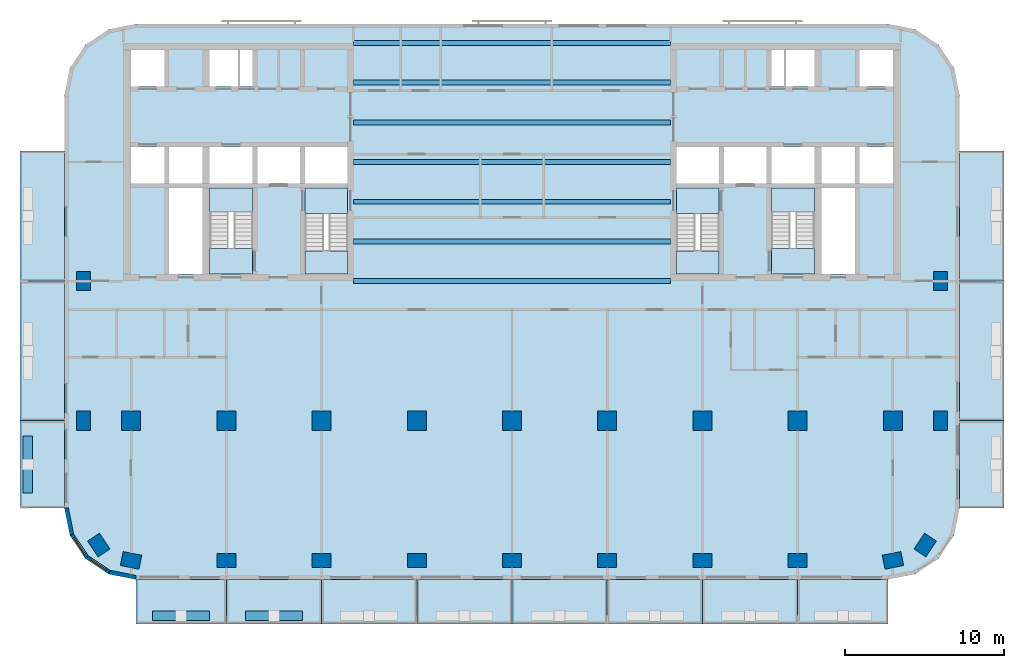
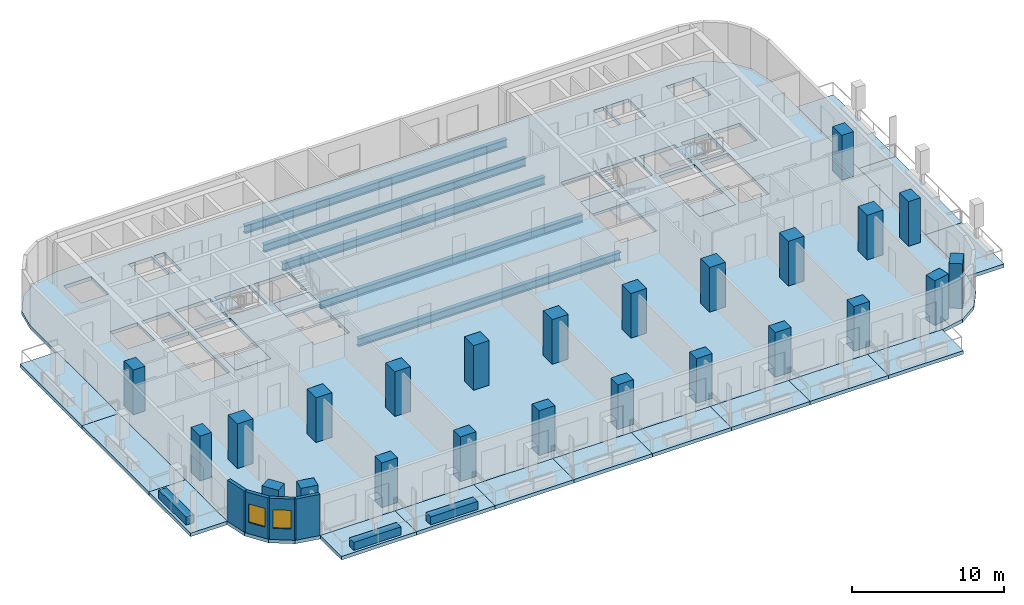
# One storey, part 1 of 11: 24 columns, 23 slabs, 7 beams, 7 walls, 2 windows, 2 openings, 4 elements without a shape of their own.
"""IFC4 building model written with IfcOpenShell, lengths in metres."""

from ifc_helpers import new_model, si_unit, direction, frame, frame_2d, origin, origin_2d, place, context, subcontext, project, spatial, polyline, rectangle, i_section, outline, extrude, material, layer, layer_set, material_profile, profile_set, type_object, element, fill, aggregate, save


model = new_model("IFC4")

# Units and contexts
model_context = context("Model", 3, precision=1e-05, world=origin(), true_north=direction((0.0, 1.0)))
body_context = subcontext(model_context, "Body", "Model", "MODEL_VIEW")
ifc_project = project(units=[si_unit("LENGTHUNIT", "METRE"), si_unit("AREAUNIT", "SQUARE_METRE"), si_unit("VOLUMEUNIT", "CUBIC_METRE"), si_unit("PLANEANGLEUNIT", "RADIAN"), si_unit("MASSUNIT", "GRAM", prefix="KILO")], contexts=[model_context])

# Site, building, storey
site_placement = place(None, origin())
site = spatial("IfcSite", under=ifc_project, at=site_placement, CompositionType="ELEMENT")
building_placement = place(site_placement, origin())
building = spatial("IfcBuilding", under=site, at=building_placement, Name="Torana Hotel and Residences", CompositionType="ELEMENT")
storey_placement = place(building_placement, frame((0.0, 0.0, 120.0)))
storey = spatial("IfcBuildingStorey", under=building, at=storey_placement, Name="L30", CompositionType="ELEMENT", Elevation=120.0)

# Columns
ifc_material_1 = material(Name="Concrete C70/85", Category="concrete")
ifc_material_profile_1 = material_profile(ifc_material_1, rectangle(XDim=1.199951171875, YDim=1.199951171875, at=origin_2d()), Name="RC 1200x1200")
ifc_profile_set_1 = profile_set([ifc_material_profile_1], Name="Concrete C70/85")
column_type_1 = type_object("IfcColumnType", Name="COLUMN RC 1200x1200 C70/85", PredefinedType="COLUMN", material=ifc_profile_set_1)
for number, where, z_axis, x_axis, name in (
    (1, (-24.0, -23.800048828125, 0.0), (0.0, 0.0, 1.0), (1.0, 0.0, 0.0), "Column L30"),
    (2, (-18.0, -23.800048828125, 0.0), (0.0, 0.0, 1.0), (1.0, 0.0, 0.0), "Column L30"),
    (3, (-12.0, -23.800048828125, 0.0), (0.0, 0.0, 1.0), (1.0, 0.0, 0.0), "Column L30"),
    (4, (-6.0, -23.800048828125, 0.0), (0.0, 0.0, 1.0), (1.0, 0.0, 0.0), "Column L30"),
    (5, (0.0, -23.800048828125, 0.0), (0.0, 0.0, 1.0), (1.0, 0.0, 0.0), "Column L30"),
    (6, (6.0, -23.800048828125, 0.0), (0.0, 0.0, 1.0), (1.0, 0.0, 0.0), "Column L30"),
    (7, (12.0, -23.800048828125, 0.0), (0.0, 0.0, 1.0), (1.0, 0.0, 0.0), "Column L30"),
    (8, (18.0, -23.800048828125, 0.0), (0.0, 0.0, 1.0), (1.0, 0.0, 0.0), "Column L30"),
    (9, (24.0, -23.800048828125, 0.0), (0.0, 0.0, 1.0), (1.0, 0.0, 0.0), "Column L30"),
):
    element("IfcColumn", number, at=place(storey_placement, frame(where, z_axis=z_axis, x_axis=x_axis)), inside=storey, type_object=column_type_1, Name=name, PredefinedType="COLUMN", context=body_context, shape_type="SweptSolid", body=[
        extrude(rectangle(XDim=1.199951171875, YDim=1.199951171875, at=origin_2d()), origin(), (0.0, 0.0, 1.0), 3.60009765625),
    ])
ifc_material_2 = material(Name="Concrete C70/85", Category="concrete")
ifc_material_profile_2 = material_profile(ifc_material_2, rectangle(XDim=1.199951171875, YDim=0.89990234375, at=origin_2d()), Name="RC 1200x900")
ifc_profile_set_2 = profile_set([ifc_material_profile_2], Name="Concrete C70/85")
column_type_2 = type_object("IfcColumnType", Name="COLUMN RC 1200x900 C70/85", PredefinedType="COLUMN", material=ifc_profile_set_2)
for number, where, z_axis, x_axis, name in (
    (10, (-27.0, -23.800048828125, 0.0), (0.0, 0.0, 1.0), (0.0, 1.0, 0.0), "Column L30"),
    (11, (-27.0, -15.0, 0.0), (0.0, 0.0, 1.0), (0.0, 1.0, 0.0), "Column L30"),
    (12, (-26.032958984375, -31.633056640625, 0.0), (0.0, 0.0, 1.0), (-0.555584744817, 0.831459915646, 0.0), "Column L30"),
    (13, (-24.0, -32.60009765625, 0.0), (0.0, 0.0, 1.0), (-0.980792089743, 0.195056086032, 0.0), "Column L30"),
    (14, (-18.0, -32.60009765625, 0.0), (0.0, 0.0, 1.0), (1.0, 0.0, 0.0), "Column L30"),
    (15, (-12.0, -32.60009765625, 0.0), (0.0, 0.0, 1.0), (1.0, 0.0, 0.0), "Column L30"),
    (16, (-6.0, -32.60009765625, 0.0), (0.0, 0.0, 1.0), (1.0, 0.0, 0.0), "Column L30"),
    (17, (0.0, -32.60009765625, 0.0), (0.0, 0.0, 1.0), (1.0, 0.0, 0.0), "Column L30"),
    (18, (6.0, -32.60009765625, 0.0), (0.0, 0.0, 1.0), (1.0, 0.0, 0.0), "Column L30"),
    (19, (12.0, -32.60009765625, 0.0), (0.0, 0.0, 1.0), (1.0, 0.0, 0.0), "Column L30"),
    (20, (18.0, -32.60009765625, 0.0), (0.0, 0.0, 1.0), (1.0, 0.0, 0.0), "Column L30"),
    (21, (24.0, -32.60009765625, 0.0), (0.0, 0.0, 1.0), (0.980792089743, 0.195056086032, 0.0), "Column L30"),
    (22, (26.032958984375, -31.633056640625, 0.0), (0.0, 0.0, 1.0), (0.555584744817, 0.831459915646, 0.0), "Column L30"),
    (23, (27.0, -23.800048828125, 0.0), (0.0, 0.0, 1.0), (0.0, 1.0, 0.0), "Column L30"),
    (24, (27.0, -15.0, 0.0), (0.0, 0.0, 1.0), (0.0, 1.0, 0.0), "Column L30"),
):
    element("IfcColumn", number, at=place(storey_placement, frame(where, z_axis=z_axis, x_axis=x_axis)), inside=storey, type_object=column_type_2, Name=name, PredefinedType="COLUMN", context=body_context, shape_type="SweptSolid", body=[
        extrude(rectangle(XDim=1.199951171875, YDim=0.89990234375, at=origin_2d()), origin(), (0.0, 0.0, 1.0), 3.60009765625),
    ])

# Beams
ifc_material_3 = material(Name="Steel S355", Category="steel")
ifc_material_profile_3 = material_profile(ifc_material_3, i_section(OverallWidth=0.311279296875, OverallDepth=0.6357421875, WebThickness=0.018310546875, FlangeThickness=0.031494140625, FilletRadius=0.0166015625, at=origin_2d()), Name="610x305x238 UB")
ifc_profile_set_3 = profile_set([ifc_material_profile_3], Name="Steel S355")
beam_type = type_object("IfcBeamType", Name="STEEL GIRDER 610x305x238 UB", PredefinedType="BEAM", material=ifc_profile_set_3)
for number, where, z_axis, x_axis, name in (
    (25, (-10.0, -15.0, -0.597900390625), (1.0, 0.0, 0.0), (0.0, 1.0, 0.0), "Floor girder"),
    (26, (-10.0, -12.5, -0.597900390625), (1.0, 0.0, 0.0), (0.0, 1.0, 0.0), "Floor girder"),
    (27, (-10.0, -10.0, -0.597900390625), (1.0, 0.0, 0.0), (0.0, 1.0, 0.0), "Floor girder"),
    (28, (-10.0, -7.5, -0.597900390625), (1.0, 0.0, 0.0), (0.0, 1.0, 0.0), "Floor girder"),
    (29, (-10.0, -5.0, -0.597900390625), (1.0, 0.0, 0.0), (0.0, 1.0, 0.0), "Floor girder"),
    (30, (-10.0, -2.5, -0.597900390625), (1.0, 0.0, 0.0), (0.0, 1.0, 0.0), "Floor girder"),
    (31, (-10.0, 0.0, -0.597900390625), (1.0, 0.0, 0.0), (0.0, 1.0, 0.0), "Floor girder"),
):
    element("IfcBeam", number, at=place(storey_placement, frame(where, z_axis=z_axis, x_axis=x_axis)), inside=storey, type_object=beam_type, Name=name, PredefinedType="BEAM", context=body_context, shape_type="SweptSolid", body=[
        extrude(i_section(OverallWidth=0.311279296875, OverallDepth=0.6357421875, WebThickness=0.018310546875, FlangeThickness=0.031494140625, FilletRadius=0.0166015625, at=origin_2d()), origin(), (0.0, 0.0, 1.0), 20.0),
    ])

# Slabs
ifc_material_4 = material(Name="Concrete C40/50", Category="concrete")
ifc_layer_1 = layer(ifc_material_4, 0.280029296875)
ifc_layer_set_1 = layer_set([ifc_layer_1], Name="BAL1 BALCONY SLAB 280")
slab_type_1 = type_object("IfcSlabType", Name="BAL1 BALCONY SLAB 280", PredefinedType="USERDEFINED", material=ifc_layer_set_1)
slab_1_placement = place(storey_placement, frame((0.0, 0.0, -0.280029296875)))
element("IfcSlab", 32, at=slab_1_placement, inside=storey, type_object=slab_type_1, Name="Balcony 01", ObjectType="BALCONY", PredefinedType="USERDEFINED", context=body_context, shape_type="SweptSolid", body=[
    extrude(outline(polyline([(-23.699951171875, -36.60009765625), (-18.0, -36.60009765625), (-18.0, -33.800048828125), (-23.699951171875, -33.800048828125), (-23.699951171875, -36.60009765625)])), origin(), (0.0, 0.0, 1.0), 0.280029296875),
])
slab_2_placement = place(storey_placement, frame((0.0, 0.0, -0.280029296875)))
element("IfcSlab", 33, at=slab_2_placement, inside=storey, type_object=slab_type_1, Name="Balcony 02", ObjectType="BALCONY", PredefinedType="USERDEFINED", context=body_context, shape_type="SweptSolid", body=[
    extrude(outline(polyline([(-18.0, -36.60009765625), (-12.0, -36.60009765625), (-12.0, -33.800048828125), (-18.0, -33.800048828125), (-18.0, -36.60009765625)])), origin(), (0.0, 0.0, 1.0), 0.280029296875),
])
slab_3_placement = place(storey_placement, frame((0.0, 0.0, -0.280029296875)))
element("IfcSlab", 34, at=slab_3_placement, inside=storey, type_object=slab_type_1, Name="Balcony 03", ObjectType="BALCONY", PredefinedType="USERDEFINED", context=body_context, shape_type="SweptSolid", body=[
    extrude(outline(polyline([(-12.0, -36.60009765625), (-6.0, -36.60009765625), (-6.0, -33.800048828125), (-12.0, -33.800048828125), (-12.0, -36.60009765625)])), origin(), (0.0, 0.0, 1.0), 0.280029296875),
])
slab_4_placement = place(storey_placement, frame((0.0, 0.0, -0.280029296875)))
element("IfcSlab", 35, at=slab_4_placement, inside=storey, type_object=slab_type_1, Name="Balcony 04", ObjectType="BALCONY", PredefinedType="USERDEFINED", context=body_context, shape_type="SweptSolid", body=[
    extrude(outline(polyline([(-6.0, -36.60009765625), (0.0, -36.60009765625), (0.0, -33.800048828125), (-6.0, -33.800048828125), (-6.0, -36.60009765625)])), origin(), (0.0, 0.0, 1.0), 0.280029296875),
])
slab_5_placement = place(storey_placement, frame((0.0, 0.0, -0.280029296875)))
element("IfcSlab", 36, at=slab_5_placement, inside=storey, type_object=slab_type_1, Name="Balcony 05", ObjectType="BALCONY", PredefinedType="USERDEFINED", context=body_context, shape_type="SweptSolid", body=[
    extrude(outline(polyline([(0.0, -36.60009765625), (6.0, -36.60009765625), (6.0, -33.800048828125), (0.0, -33.800048828125), (0.0, -36.60009765625)])), origin(), (0.0, 0.0, 1.0), 0.280029296875),
])
slab_6_placement = place(storey_placement, frame((0.0, 0.0, -0.280029296875)))
element("IfcSlab", 37, at=slab_6_placement, inside=storey, type_object=slab_type_1, Name="Balcony 06", ObjectType="BALCONY", PredefinedType="USERDEFINED", context=body_context, shape_type="SweptSolid", body=[
    extrude(outline(polyline([(6.0, -36.60009765625), (12.0, -36.60009765625), (12.0, -33.800048828125), (6.0, -33.800048828125), (6.0, -36.60009765625)])), origin(), (0.0, 0.0, 1.0), 0.280029296875),
])
slab_7_placement = place(storey_placement, frame((0.0, 0.0, -0.280029296875)))
element("IfcSlab", 38, at=slab_7_placement, inside=storey, type_object=slab_type_1, Name="Balcony 07", ObjectType="BALCONY", PredefinedType="USERDEFINED", context=body_context, shape_type="SweptSolid", body=[
    extrude(outline(polyline([(12.0, -36.60009765625), (18.0, -36.60009765625), (18.0, -33.800048828125), (12.0, -33.800048828125), (12.0, -36.60009765625)])), origin(), (0.0, 0.0, 1.0), 0.280029296875),
])
slab_8_placement = place(storey_placement, frame((0.0, 0.0, -0.280029296875)))
element("IfcSlab", 39, at=slab_8_placement, inside=storey, type_object=slab_type_1, Name="Balcony 08", ObjectType="BALCONY", PredefinedType="USERDEFINED", context=body_context, shape_type="SweptSolid", body=[
    extrude(outline(polyline([(18.0, -36.60009765625), (23.699951171875, -36.60009765625), (23.699951171875, -33.800048828125), (18.0, -33.800048828125), (18.0, -36.60009765625)])), origin(), (0.0, 0.0, 1.0), 0.280029296875),
])
slab_9_placement = place(storey_placement, frame((0.0, 0.0, -0.280029296875)))
element("IfcSlab", 40, at=slab_9_placement, inside=storey, type_object=slab_type_1, Name="Balcony 09", ObjectType="BALCONY", PredefinedType="USERDEFINED", context=body_context, shape_type="SweptSolid", body=[
    extrude(outline(polyline([(-31.0, -29.300048828125), (-28.199951171875, -29.300048828125), (-28.199951171875, -23.800048828125), (-31.0, -23.800048828125), (-31.0, -29.300048828125)])), origin(), (0.0, 0.0, 1.0), 0.280029296875),
])
slab_10_placement = place(storey_placement, frame((0.0, 0.0, -0.280029296875)))
element("IfcSlab", 41, at=slab_10_placement, inside=storey, type_object=slab_type_1, Name="Balcony 10", ObjectType="BALCONY", PredefinedType="USERDEFINED", context=body_context, shape_type="SweptSolid", body=[
    extrude(outline(polyline([(-31.0, -23.800048828125), (-28.199951171875, -23.800048828125), (-28.199951171875, -15.0), (-31.0, -15.0), (-31.0, -23.800048828125)])), origin(), (0.0, 0.0, 1.0), 0.280029296875),
])
slab_11_placement = place(storey_placement, frame((0.0, 0.0, -0.280029296875)))
element("IfcSlab", 42, at=slab_11_placement, inside=storey, type_object=slab_type_1, Name="Balcony 11", ObjectType="BALCONY", PredefinedType="USERDEFINED", context=body_context, shape_type="SweptSolid", body=[
    extrude(outline(polyline([(-31.0, -15.0), (-28.199951171875, -15.0), (-28.199951171875, -6.800048828125), (-31.0, -6.800048828125), (-31.0, -15.0)])), origin(), (0.0, 0.0, 1.0), 0.280029296875),
])
slab_12_placement = place(storey_placement, frame((0.0, 0.0, -0.280029296875)))
element("IfcSlab", 43, at=slab_12_placement, inside=storey, type_object=slab_type_1, Name="Balcony 12", ObjectType="BALCONY", PredefinedType="USERDEFINED", context=body_context, shape_type="SweptSolid", body=[
    extrude(outline(polyline([(28.199951171875, -29.300048828125), (31.0, -29.300048828125), (31.0, -23.800048828125), (28.199951171875, -23.800048828125), (28.199951171875, -29.300048828125)])), origin(), (0.0, 0.0, 1.0), 0.280029296875),
])
slab_13_placement = place(storey_placement, frame((0.0, 0.0, -0.280029296875)))
element("IfcSlab", 44, at=slab_13_placement, inside=storey, type_object=slab_type_1, Name="Balcony 13", ObjectType="BALCONY", PredefinedType="USERDEFINED", context=body_context, shape_type="SweptSolid", body=[
    extrude(outline(polyline([(28.199951171875, -23.800048828125), (31.0, -23.800048828125), (31.0, -15.0), (28.199951171875, -15.0), (28.199951171875, -23.800048828125)])), origin(), (0.0, 0.0, 1.0), 0.280029296875),
])
slab_14_placement = place(storey_placement, frame((0.0, 0.0, -0.280029296875)))
element("IfcSlab", 45, at=slab_14_placement, inside=storey, type_object=slab_type_1, Name="Balcony 14", ObjectType="BALCONY", PredefinedType="USERDEFINED", context=body_context, shape_type="SweptSolid", body=[
    extrude(outline(polyline([(28.199951171875, -15.0), (31.0, -15.0), (31.0, -6.800048828125), (28.199951171875, -6.800048828125), (28.199951171875, -15.0)])), origin(), (0.0, 0.0, 1.0), 0.280029296875),
])
ifc_material_5 = material(Name="Concrete C40/50", Category="concrete")
ifc_layer_2 = layer(ifc_material_5, 0.280029296875)
ifc_layer_set_2 = layer_set([ifc_layer_2], Name="FLOOR SLAB PT 280")
slab_type_2 = type_object("IfcSlabType", Name="FLOOR SLAB PT 280", PredefinedType="FLOOR", material=ifc_layer_set_2)
slab_15_placement = place(storey_placement, frame((0.0, 0.0, -0.280029296875)))
element("IfcSlab", 46, at=slab_15_placement, inside=storey, type_object=slab_type_2, Name="Floor slab", PredefinedType="FLOOR", context=body_context, shape_type="SweptSolid", body=[
    extrude(outline(polyline([(28.199951171875, -3.300048828125), (27.857421875, -1.577880859375), (26.882080078125, -0.117919921875), (25.422119140625, 0.857421875), (23.699951171875, 1.199951171875), (-23.699951171875, 1.199951171875), (-25.422119140625, 0.857421875), (-26.882080078125, -0.117919921875), (-27.857421875, -1.577880859375), (-28.199951171875, -3.300048828125), (-28.199951171875, -29.300048828125), (-27.857421875, -31.022216796875), (-26.882080078125, -32.48193359375), (-25.422119140625, -33.45751953125), (-23.699951171875, -33.800048828125), (23.699951171875, -33.800048828125), (25.422119140625, -33.45751953125), (26.882080078125, -32.48193359375), (27.857421875, -31.022216796875), (28.199951171875, -29.300048828125), (28.199951171875, -3.300048828125)]), holes=[polyline([(-13.050048828125, -14.550048828125), (-10.35009765625, -14.550048828125), (-10.35009765625, -9.14990234375), (-13.050048828125, -9.14990234375), (-13.050048828125, -14.550048828125)]), polyline([(-19.050048828125, -14.550048828125), (-16.35009765625, -14.550048828125), (-16.35009765625, -9.14990234375), (-19.050048828125, -9.14990234375), (-19.050048828125, -14.550048828125)]), polyline([(-17.125, -2.75), (-16.35009765625, -2.75), (-16.35009765625, -0.449951171875), (-17.125, -0.449951171875), (-17.125, -2.75)]), polyline([(-19.050048828125, -2.75), (-17.27490234375, -2.75), (-17.27490234375, -0.449951171875), (-19.050048828125, -0.449951171875), (-19.050048828125, -2.75)]), polyline([(-21.60009765625, -8.85009765625), (-19.5, -8.85009765625), (-19.5, -6.550048828125), (-21.60009765625, -6.550048828125), (-21.60009765625, -8.85009765625)]), polyline([(-24.0, -2.75), (-21.89990234375, -2.75), (-21.89990234375, -0.449951171875), (-24.0, -0.449951171875), (-24.0, -2.75)]), polyline([(-24.0, -8.85009765625), (-21.89990234375, -8.85009765625), (-21.89990234375, -6.550048828125), (-24.0, -6.550048828125), (-24.0, -8.85009765625)]), polyline([(-13.050048828125, -8.85009765625), (-10.35009765625, -8.85009765625), (-10.35009765625, -6.550048828125), (-13.050048828125, -6.550048828125), (-13.050048828125, -8.85009765625)]), polyline([(-16.050048828125, -8.85009765625), (-13.35009765625, -8.85009765625), (-13.35009765625, -6.550048828125), (-16.050048828125, -6.550048828125), (-16.050048828125, -8.85009765625)]), polyline([(-19.050048828125, -8.85009765625), (-16.35009765625, -8.85009765625), (-16.35009765625, -6.550048828125), (-19.050048828125, -6.550048828125), (-19.050048828125, -8.85009765625)]), polyline([(-21.60009765625, -14.550048828125), (-19.5, -14.550048828125), (-19.5, -9.14990234375), (-21.60009765625, -9.14990234375), (-21.60009765625, -14.550048828125)]), polyline([(10.35009765625, -14.550048828125), (13.050048828125, -14.550048828125), (13.050048828125, -9.14990234375), (10.35009765625, -9.14990234375), (10.35009765625, -14.550048828125)]), polyline([(16.35009765625, -14.550048828125), (19.050048828125, -14.550048828125), (19.050048828125, -9.14990234375), (16.35009765625, -9.14990234375), (16.35009765625, -14.550048828125)]), polyline([(16.35009765625, -2.75), (17.125, -2.75), (17.125, -0.449951171875), (16.35009765625, -0.449951171875), (16.35009765625, -2.75)]), polyline([(17.27490234375, -2.75), (19.050048828125, -2.75), (19.050048828125, -0.449951171875), (17.27490234375, -0.449951171875), (17.27490234375, -2.75)]), polyline([(19.5, -8.85009765625), (21.60009765625, -8.85009765625), (21.60009765625, -6.550048828125), (19.5, -6.550048828125), (19.5, -8.85009765625)]), polyline([(21.89990234375, -2.75), (24.0, -2.75), (24.0, -0.449951171875), (21.89990234375, -0.449951171875), (21.89990234375, -2.75)]), polyline([(21.89990234375, -8.85009765625), (24.0, -8.85009765625), (24.0, -6.550048828125), (21.89990234375, -6.550048828125), (21.89990234375, -8.85009765625)]), polyline([(10.35009765625, -8.85009765625), (13.050048828125, -8.85009765625), (13.050048828125, -6.550048828125), (10.35009765625, -6.550048828125), (10.35009765625, -8.85009765625)]), polyline([(13.35009765625, -8.85009765625), (16.050048828125, -8.85009765625), (16.050048828125, -6.550048828125), (13.35009765625, -6.550048828125), (13.35009765625, -8.85009765625)]), polyline([(16.35009765625, -8.85009765625), (19.050048828125, -8.85009765625), (19.050048828125, -6.550048828125), (16.35009765625, -6.550048828125), (16.35009765625, -8.85009765625)]), polyline([(19.5, -14.550048828125), (21.60009765625, -14.550048828125), (21.60009765625, -9.14990234375), (19.5, -9.14990234375), (19.5, -14.550048828125)])]), origin(), (0.0, 0.0, 1.0), 0.280029296875),
])

# Stair, slabs
ifc_material_6 = material(Name="Concrete C40/50 precast", Category="concrete")
stair_type_1 = type_object("IfcStairType", Name="STAIR ST1 HALF TURN 1200", PredefinedType="HALF_TURN_STAIR", material=ifc_material_6)
stair_1_placement = place(storey_placement, origin())
stair_1 = element("IfcStair", 47, at=stair_1_placement, inside=storey, type_object=stair_type_1, Name="Stair ST1 L30", PredefinedType="HALF_TURN_STAIR")
ifc_material_7 = material(Name="Concrete C40/50 precast", Category="concrete")
ifc_layer_3 = layer(ifc_material_7, 0.199951171875)
ifc_layer_set_3 = layer_set([ifc_layer_3], Name="STAIR LANDING 200")
slab_type_3 = type_object("IfcSlabType", Name="STAIR LANDING 200", PredefinedType="LANDING", material=ifc_layer_set_3)
slab_16_placement = place(storey_placement, frame((0.0, 0.0, 1.60009765625)))
slab_16 = element("IfcSlab", 48, at=slab_16_placement, type_object=slab_type_3, Name="ST1 landing 1", PredefinedType="LANDING", context=body_context, shape_type="SweptSolid", body=[
    extrude(outline(polyline([(-13.050048828125, -14.550048828125), (-10.35009765625, -14.550048828125), (-10.35009765625, -13.090087890625), (-13.050048828125, -13.090087890625), (-13.050048828125, -14.550048828125)])), origin(), (0.0, 0.0, 1.0), 0.199951171875),
])
slab_17_placement = place(storey_placement, frame((0.0, 0.0, -0.199951171875)))
slab_17 = element("IfcSlab", 49, at=slab_17_placement, type_object=slab_type_3, Name="ST1 landing 2", PredefinedType="LANDING", context=body_context, shape_type="SweptSolid", body=[
    extrude(outline(polyline([(-13.050048828125, -10.75), (-10.35009765625, -10.75), (-10.35009765625, -9.14990234375), (-13.050048828125, -9.14990234375), (-13.050048828125, -10.75)])), origin(), (0.0, 0.0, 1.0), 0.199951171875),
])
aggregate(stair_1, [slab_16, slab_17])

ifc_material_8 = material(Name="Concrete C40/50 precast", Category="concrete")
stair_type_2 = type_object("IfcStairType", Name="STAIR ST2 HALF TURN 1200", PredefinedType="HALF_TURN_STAIR", material=ifc_material_8)
stair_2_placement = place(storey_placement, origin())
stair_2 = element("IfcStair", 50, at=stair_2_placement, inside=storey, type_object=stair_type_2, Name="Stair ST2 L30", PredefinedType="HALF_TURN_STAIR")
slab_18_placement = place(storey_placement, frame((0.0, 0.0, 1.60009765625)))
slab_18 = element("IfcSlab", 51, at=slab_18_placement, type_object=slab_type_3, Name="ST2 landing 1", PredefinedType="LANDING", context=body_context, shape_type="SweptSolid", body=[
    extrude(outline(polyline([(-19.050048828125, -10.610107421875), (-16.35009765625, -10.610107421875), (-16.35009765625, -9.14990234375), (-19.050048828125, -9.14990234375), (-19.050048828125, -10.610107421875)])), origin(), (0.0, 0.0, 1.0), 0.199951171875),
])
slab_19_placement = place(storey_placement, frame((0.0, 0.0, -0.199951171875)))
slab_19 = element("IfcSlab", 52, at=slab_19_placement, type_object=slab_type_3, Name="ST2 landing 2", PredefinedType="LANDING", context=body_context, shape_type="SweptSolid", body=[
    extrude(outline(polyline([(-19.050048828125, -14.550048828125), (-16.35009765625, -14.550048828125), (-16.35009765625, -12.949951171875), (-19.050048828125, -12.949951171875), (-19.050048828125, -14.550048828125)])), origin(), (0.0, 0.0, 1.0), 0.199951171875),
])
aggregate(stair_2, [slab_18, slab_19])

ifc_material_9 = material(Name="Concrete C40/50 precast", Category="concrete")
stair_type_3 = type_object("IfcStairType", Name="STAIR ST3 HALF TURN 1200", PredefinedType="HALF_TURN_STAIR", material=ifc_material_9)
stair_3_placement = place(storey_placement, origin())
stair_3 = element("IfcStair", 53, at=stair_3_placement, inside=storey, type_object=stair_type_3, Name="Stair ST3 L30", PredefinedType="HALF_TURN_STAIR")
slab_20_placement = place(storey_placement, frame((0.0, 0.0, 1.60009765625)))
slab_20 = element("IfcSlab", 54, at=slab_20_placement, type_object=slab_type_3, Name="ST3 landing 1", PredefinedType="LANDING", context=body_context, shape_type="SweptSolid", body=[
    extrude(outline(polyline([(10.35009765625, -14.550048828125), (13.050048828125, -14.550048828125), (13.050048828125, -13.090087890625), (10.35009765625, -13.090087890625), (10.35009765625, -14.550048828125)])), origin(), (0.0, 0.0, 1.0), 0.199951171875),
])
slab_21_placement = place(storey_placement, frame((0.0, 0.0, -0.199951171875)))
slab_21 = element("IfcSlab", 55, at=slab_21_placement, type_object=slab_type_3, Name="ST3 landing 2", PredefinedType="LANDING", context=body_context, shape_type="SweptSolid", body=[
    extrude(outline(polyline([(10.35009765625, -10.75), (13.050048828125, -10.75), (13.050048828125, -9.14990234375), (10.35009765625, -9.14990234375), (10.35009765625, -10.75)])), origin(), (0.0, 0.0, 1.0), 0.199951171875),
])
aggregate(stair_3, [slab_20, slab_21])

ifc_material_10 = material(Name="Concrete C40/50 precast", Category="concrete")
stair_type_4 = type_object("IfcStairType", Name="STAIR ST4 HALF TURN 1200", PredefinedType="HALF_TURN_STAIR", material=ifc_material_10)
stair_4_placement = place(storey_placement, origin())
stair_4 = element("IfcStair", 56, at=stair_4_placement, inside=storey, type_object=stair_type_4, Name="Stair ST4 L30", PredefinedType="HALF_TURN_STAIR")
slab_22_placement = place(storey_placement, frame((0.0, 0.0, 1.60009765625)))
slab_22 = element("IfcSlab", 57, at=slab_22_placement, type_object=slab_type_3, Name="ST4 landing 1", PredefinedType="LANDING", context=body_context, shape_type="SweptSolid", body=[
    extrude(outline(polyline([(16.35009765625, -10.610107421875), (19.050048828125, -10.610107421875), (19.050048828125, -9.14990234375), (16.35009765625, -9.14990234375), (16.35009765625, -10.610107421875)])), origin(), (0.0, 0.0, 1.0), 0.199951171875),
])
slab_23_placement = place(storey_placement, frame((0.0, 0.0, -0.199951171875)))
slab_23 = element("IfcSlab", 58, at=slab_23_placement, type_object=slab_type_3, Name="ST4 landing 2", PredefinedType="LANDING", context=body_context, shape_type="SweptSolid", body=[
    extrude(outline(polyline([(16.35009765625, -14.550048828125), (19.050048828125, -14.550048828125), (19.050048828125, -12.949951171875), (16.35009765625, -12.949951171875), (16.35009765625, -14.550048828125)])), origin(), (0.0, 0.0, 1.0), 0.199951171875),
])
aggregate(stair_4, [slab_22, slab_23])

# Wall
ifc_material_11 = material(Name="Black aluminium composite panel", Category="aluminium")
ifc_layer_4 = layer(ifc_material_11, 0.00390625, Name="Cladding", Category="cladding")
ifc_material_12 = material(Name="Ventilated air cavity")
ifc_layer_5 = layer(ifc_material_12, 0.0400390625, Name="Ventilated cavity", Category="cavity")
ifc_material_13 = material(Name="Mineral wool insulation")
ifc_layer_6 = layer(ifc_material_13, 0.090087890625, Name="Insulation", Category="insulation")
ifc_material_14 = material(Name="Steel S280GD", Category="steel")
ifc_layer_7 = layer(ifc_material_14, 0.092041015625, Name="Steel stud frame", Category="structure")
ifc_material_15 = material(Name="Fire rated plasterboard")
ifc_layer_8 = layer(ifc_material_15, 0.011962890625, Name="Inner board", Category="finish")
ifc_layer_9 = layer(ifc_material_15, 0.011962890625, Name="Second board", Category="finish")
ifc_layer_set_4 = layer_set([ifc_layer_4, ifc_layer_5, ifc_layer_6, ifc_layer_7, ifc_layer_8, ifc_layer_9], Name="EW1 EXTERNAL WALL BLACK METAL CLAD 250")
wall_type_1 = type_object("IfcWallType", Name="EW1 EXTERNAL WALL BLACK METAL CLAD 250", PredefinedType="SOLIDWALL", material=ifc_layer_set_4)
wall_1_placement = place(storey_placement, frame((-28.072509765625, -29.2998046875, 0.0), z_axis=(0.0, 0.0, 1.0), x_axis=(0.194999110559, -0.980803419081, 0.0)))
element("IfcWall", 59, at=wall_1_placement, inside=storey, type_object=wall_type_1, Name="External wall L30 e0.10", PredefinedType="SOLIDWALL", context=body_context, shape_type="SweptSolid", body=[
    extrude(rectangle(XDim=1.681396484375, YDim=0.25, at=frame_2d((0.8408203125, 0.0))), origin(), (0.0, 0.0, 1.0), 3.320068359375),
])

# Wall, opening, window
wall_2_placement = place(storey_placement, frame((-27.725830078125, -30.993896484375, 0.0), z_axis=(0.0, 0.0, 1.0), x_axis=(0.55555029066, -0.831482937015, 0.0)))
wall_2 = element("IfcWall", 60, at=wall_2_placement, inside=storey, type_object=wall_type_1, Name="External wall L30 e0.11", PredefinedType="SOLIDWALL", context=body_context, shape_type="SweptSolid", body=[
    extrude(rectangle(XDim=1.65625, YDim=0.25, at=frame_2d((0.828125, 0.0))), origin(), (0.0, 0.0, 1.0), 3.320068359375),
])
opening_1_placement = place(wall_2_placement, frame((0.228271484375, 0.0, 0.89990234375)))
opening_1 = element("IfcOpeningElement", 61, at=opening_1_placement, cuts=wall_2, Name="Opening W5", PredefinedType="OPENING", context=body_context, shape_type="SweptSolid", body=[
    extrude(rectangle(XDim=1.199951171875, YDim=1.5, at=frame_2d((0.60009765625, 0.75))), frame((0.0, 0.135009765625, 0.0), z_axis=(0.0, -1.0, 0.0), x_axis=(1.0, 0.0, 0.0)), (0.0, 0.0, 1.0), 0.27001953125),
])
ifc_material_16 = material(Name="Dark glass in black aluminium frame", Category="aluminium")
window_type = type_object("IfcWindowType", Name="W5 CORNER FACET WINDOW 1200x1500", PartitioningType="SINGLE_PANEL", PredefinedType="WINDOW", material=ifc_material_16)
window_1_placement = place(opening_1_placement, origin())
window_1 = element("IfcWindow", 62, at=window_1_placement, inside=storey, type_object=window_type, Name="Window L30 e0.11", OverallHeight=1.5, OverallWidth=1.199951171875, PartitioningType="SINGLE_PANEL", PredefinedType="WINDOW", context=body_context, shape_type="SweptSolid", body=[
    extrude(rectangle(XDim=1.199951171875, YDim=1.5, at=frame_2d((0.60009765625, 0.75))), frame((0.0, 0.030029296875, 0.0), z_axis=(0.0, -1.0, 0.0), x_axis=(1.0, 0.0, 0.0)), (0.0, 0.0, 1.0), 0.06005859375),
])
fill(opening_1, window_1)

wall_3_placement = place(storey_placement, frame((-26.771240234375, -32.40576171875, 0.0), z_axis=(0.0, 0.0, 1.0), x_axis=(0.831482937015, -0.55555029066, 0.0)))
wall_3 = element("IfcWall", 63, at=wall_3_placement, inside=storey, type_object=wall_type_1, Name="External wall L30 e0.12", PredefinedType="SOLIDWALL", context=body_context, shape_type="SweptSolid", body=[
    extrude(rectangle(XDim=1.65625, YDim=0.25, at=frame_2d((0.828125, 0.0))), origin(), (0.0, 0.0, 1.0), 3.320068359375),
])
opening_2_placement = place(wall_3_placement, frame((0.228271484375, 0.0, 0.89990234375)))
opening_2 = element("IfcOpeningElement", 64, at=opening_2_placement, cuts=wall_3, Name="Opening W5", PredefinedType="OPENING", context=body_context, shape_type="SweptSolid", body=[
    extrude(rectangle(XDim=1.199951171875, YDim=1.5, at=frame_2d((0.60009765625, 0.75))), frame((0.0, 0.135009765625, 0.0), z_axis=(0.0, -1.0, 0.0), x_axis=(1.0, 0.0, 0.0)), (0.0, 0.0, 1.0), 0.27001953125),
])
window_2_placement = place(opening_2_placement, origin())
window_2 = element("IfcWindow", 65, at=window_2_placement, inside=storey, type_object=window_type, Name="Window L30 e0.12", OverallHeight=1.5, OverallWidth=1.199951171875, PartitioningType="SINGLE_PANEL", PredefinedType="WINDOW", context=body_context, shape_type="SweptSolid", body=[
    extrude(rectangle(XDim=1.199951171875, YDim=1.5, at=frame_2d((0.60009765625, 0.75))), frame((0.0, 0.030029296875, 0.0), z_axis=(0.0, -1.0, 0.0), x_axis=(1.0, 0.0, 0.0)), (0.0, 0.0, 1.0), 0.06005859375),
])
fill(opening_2, window_2)

# Walls
wall_4_placement = place(storey_placement, frame((-25.348876953125, -33.344482421875, 0.0), z_axis=(0.0, 0.0, 1.0), x_axis=(0.980775640221, -0.19513878023, 0.0)))
element("IfcWall", 66, at=wall_4_placement, inside=storey, type_object=wall_type_1, Name="External wall L30 e0.13", PredefinedType="SOLIDWALL", context=body_context, shape_type="SweptSolid", body=[
    extrude(rectangle(XDim=1.681396484375, YDim=0.25, at=frame_2d((0.8408203125, 0.0))), origin(), (0.0, 0.0, 1.0), 3.320068359375),
])
ifc_material_17 = material(Name="Concrete C40/50 precast", Category="concrete")
ifc_layer_10 = layer(ifc_material_17, 0.10009765625, Name="Planter shell", Category="structure")
ifc_material_18 = material(Name="Root resistant membrane")
ifc_layer_11 = layer(ifc_material_18, 0.00390625, Name="Waterproofing membrane", Category="membrane")
ifc_material_19 = material(Name="Drainage board with filter fleece")
ifc_layer_12 = layer(ifc_material_19, 0.02001953125, Name="Drainage board", Category="drainage")
ifc_material_20 = material(Name="Growing medium")
ifc_layer_13 = layer(ifc_material_20, 0.47607421875, Name="Planting substrate", Category="soil")
ifc_layer_set_5 = layer_set([ifc_layer_10, ifc_layer_11, ifc_layer_12, ifc_layer_13], Name="PL1 BALCONY PLANTER 600")
wall_type_2 = type_object("IfcWallType", Name="PL1 BALCONY PLANTER 600", PredefinedType="USERDEFINED", material=ifc_layer_set_5)
wall_5_placement = place(storey_placement, frame((-19.050048828125, -36.10009765625, 0.0), z_axis=(0.0, 0.0, 1.0), x_axis=(-1.0, 0.0, 0.0)))
element("IfcWall", 67, at=wall_5_placement, inside=storey, type_object=wall_type_2, Name="Planter 01", ObjectType="PLANTER", PredefinedType="USERDEFINED", context=body_context, shape_type="SweptSolid", body=[
    extrude(rectangle(XDim=3.599853515625, YDim=0.60009765625, at=frame_2d((1.7998046875, 0.0))), origin(), (0.0, 0.0, 1.0), 0.64990234375),
])
for number, where, z_axis, x_axis, name in (
    (68, (-13.199951171875, -36.10009765625, 0.0), (0.0, 0.0, 1.0), (-1.0, 0.0, 0.0), "Planter 02"),
    (69, (-30.5, -28.35009765625, 0.0), (0.0, 0.0, 1.0), (0.0, 1.0, 0.0), "Planter 09"),
):
    element("IfcWall", number, at=place(storey_placement, frame(where, z_axis=z_axis, x_axis=x_axis)), inside=storey, type_object=wall_type_2, Name=name, ObjectType="PLANTER", PredefinedType="USERDEFINED", context=body_context, shape_type="SweptSolid", body=[
        extrude(rectangle(XDim=3.60009765625, YDim=0.60009765625, at=frame_2d((1.800048828125, 0.0))), origin(), (0.0, 0.0, 1.0), 0.64990234375),
    ])

save(model, "model.ifc")
